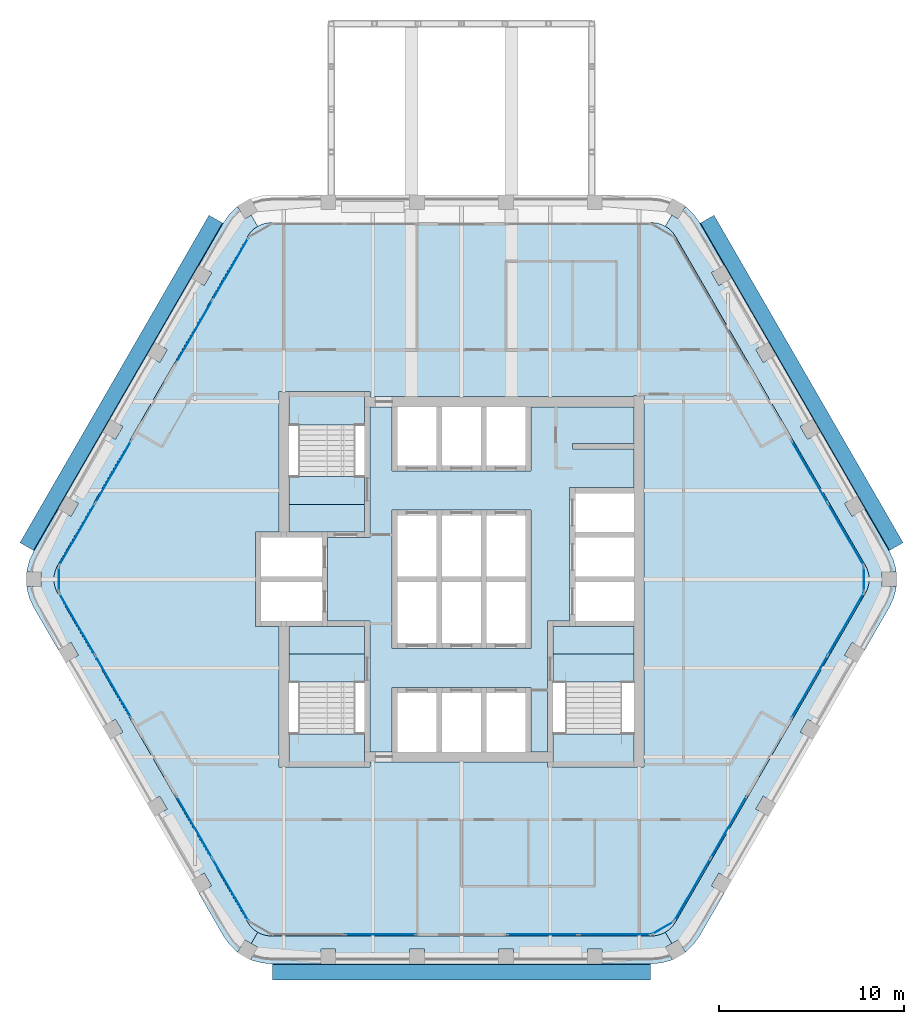
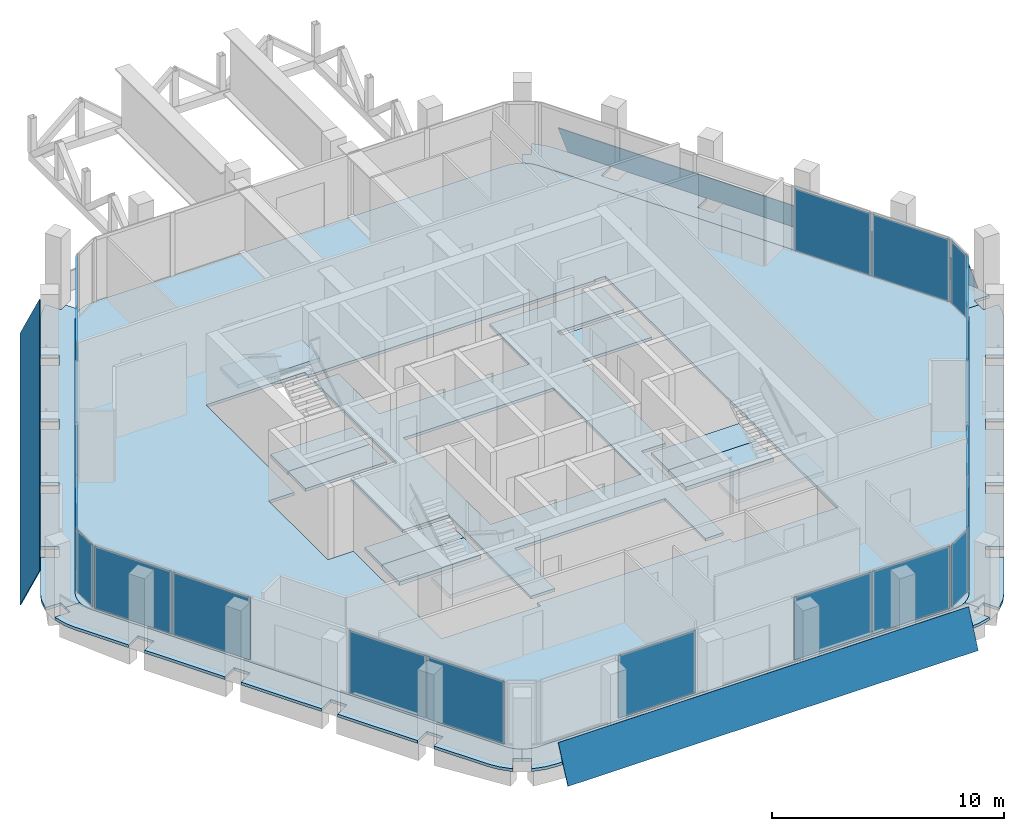
# One storey, part 7 of 14: 23 plates, 16 slabs, 15 elements without a shape of their own.
"""IFC4 building model written with IfcOpenShell, lengths in metres."""

from ifc_helpers import new_model, si_unit, direction, frame, origin, origin_2d, place, context, subcontext, project, spatial, polyline, rectangle, outline, extrude, material, layer, layer_set, type_object, element, aggregate, save


model = new_model("IFC4")

# Units and contexts
model_context = context("Model", 3, precision=1e-05, world=origin(), true_north=direction((0.0, 1.0)))
body_context = subcontext(model_context, "Body", "Model", "MODEL_VIEW")
ifc_project = project(units=[si_unit("LENGTHUNIT", "METRE"), si_unit("AREAUNIT", "SQUARE_METRE"), si_unit("VOLUMEUNIT", "CUBIC_METRE"), si_unit("PLANEANGLEUNIT", "RADIAN"), si_unit("MASSUNIT", "GRAM", prefix="KILO")], contexts=[model_context])

# Site, building, storey
site_placement = place(None, origin())
site = spatial("IfcSite", under=ifc_project, at=site_placement, CompositionType="ELEMENT")
building_placement = place(site_placement, origin())
building = spatial("IfcBuilding", under=site, at=building_placement, Name="Kolab Exchange Tower", CompositionType="ELEMENT")
storey_placement = place(building_placement, frame((0.0, 0.0, 265.699951171875)))
storey = spatial("IfcBuildingStorey", under=building, at=storey_placement, Name="L59", CompositionType="ELEMENT", Elevation=265.699951171875)

# Slabs
ifc_material_1 = material(Name="Concrete C35/45", Category="concrete")
ifc_layer_1 = layer(ifc_material_1, 0.14990234375)
ifc_layer_set_1 = layer_set([ifc_layer_1], Name="Concrete C35/45")
slab_type_1 = type_object("IfcSlabType", Name="FLOOR SLAB 150", PredefinedType="FLOOR", material=ifc_layer_set_1)
slab_1_placement = place(storey_placement, frame((0.0, 0.0, -0.14990234375)))
element("IfcSlab", 1, at=slab_1_placement, inside=storey, type_object=slab_type_1, Name="slab/L59/floor/0", PredefinedType="FLOOR", context=body_context, shape_type="SweptSolid", body=[
    extrude(outline(polyline([(11.56689453125, -18.53466796875), (21.8349609375, -0.75), (21.945556640625, -0.512939453125), (22.01318359375, -0.260498046875), (22.035888671875, 0.0), (22.01318359375, 0.260498046875), (21.945556640625, 0.512939453125), (21.8349609375, 0.75), (11.56689453125, 18.53466796875), (11.4169921875, 18.748779296875), (11.232177734375, 18.93359375), (11.01806640625, 19.083740234375), (10.781005859375, 19.194091796875), (10.5283203125, 19.26171875), (10.26806640625, 19.28466796875), (-10.26806640625, 19.28466796875), (-10.5283203125, 19.26171875), (-10.781005859375, 19.194091796875), (-11.01806640625, 19.083740234375), (-11.232177734375, 18.93359375), (-11.4169921875, 18.748779296875), (-11.56689453125, 18.53466796875), (-21.8349609375, 0.75), (-21.945556640625, 0.512939453125), (-22.01318359375, 0.260498046875), (-22.035888671875, 0.0), (-22.01318359375, -0.260498046875), (-21.945556640625, -0.512939453125), (-21.8349609375, -0.75), (-11.56689453125, -18.53466796875), (-11.4169921875, -18.748779296875), (-11.232177734375, -18.93359375), (-11.01806640625, -19.083740234375), (-10.781005859375, -19.194091796875), (-10.5283203125, -19.26171875), (-10.26806640625, -19.28466796875), (10.26806640625, -19.28466796875), (10.5283203125, -19.26171875), (10.781005859375, -19.194091796875), (11.01806640625, -19.083740234375), (11.232177734375, -18.93359375), (11.4169921875, -18.748779296875), (11.56689453125, -18.53466796875)]), holes=[polyline([(-9.324951171875, -10.14990234375), (-9.875, -10.14990234375), (-9.875, -2.550048828125), (-10.85009765625, -2.550048828125), (-11.14990234375, -2.550048828125), (-11.14990234375, 2.550048828125), (-10.85009765625, 2.550048828125), (-9.875, 2.550048828125), (-9.875, 10.14990234375), (-9.324951171875, 10.14990234375), (-5.25, 10.14990234375), (-4.949951171875, 10.14990234375), (-4.949951171875, 9.875), (9.324951171875, 9.875), (9.324951171875, 9.925048828125), (9.875, 9.925048828125), (9.875, -10.14990234375), (9.324951171875, -10.14990234375), (4.949951171875, -10.14990234375), (4.64990234375, -10.14990234375), (4.64990234375, -9.875), (-4.949951171875, -9.875), (-4.949951171875, -10.14990234375), (-5.25, -10.14990234375), (-9.324951171875, -10.14990234375)])]), origin(), (0.0, 0.0, 1.0), 0.14990234375),
])
slab_2_placement = place(storey_placement, frame((0.0, 0.0, -0.14990234375)))
element("IfcSlab", 2, at=slab_2_placement, inside=storey, type_object=slab_type_1, Name="slab/L59/floor/1", PredefinedType="FLOOR", context=body_context, shape_type="SweptSolid", body=[
    extrude(outline(polyline([(-4.949951171875, 9.324951171875), (-4.949951171875, 2.25), (-5.25, 2.25), (-7.25, 2.25), (-7.25, -2.25), (-5.25, -2.25), (-4.949951171875, -2.25), (-4.949951171875, -9.324951171875), (-3.75, -9.324951171875), (-3.75, -5.85009765625), (-3.449951171875, -5.85009765625), (-1.35009765625, -5.85009765625), (-1.050048828125, -5.85009765625), (1.050048828125, -5.85009765625), (1.35009765625, -5.85009765625), (3.449951171875, -5.85009765625), (3.75, -5.85009765625), (3.75, -9.324951171875), (4.64990234375, -9.324951171875), (4.64990234375, -2.25), (4.949951171875, -2.25), (5.85009765625, -2.25), (5.85009765625, 4.949951171875), (6.14990234375, 4.949951171875), (9.324951171875, 4.949951171875), (9.324951171875, 7.050048828125), (6.0, 7.050048828125), (6.0, 7.35009765625), (9.324951171875, 7.35009765625), (9.324951171875, 9.324951171875), (3.75, 9.324951171875), (3.75, 5.85009765625), (3.449951171875, 5.85009765625), (1.35009765625, 5.85009765625), (1.050048828125, 5.85009765625), (-1.050048828125, 5.85009765625), (-1.35009765625, 5.85009765625), (-3.449951171875, 5.85009765625), (-3.75, 5.85009765625), (-3.75, 9.324951171875), (-4.949951171875, 9.324951171875)]), holes=[polyline([(-3.449951171875, -3.75), (-3.75, -3.75), (-3.75, 3.75), (-3.449951171875, 3.75), (-1.35009765625, 3.75), (-1.050048828125, 3.75), (1.050048828125, 3.75), (1.35009765625, 3.75), (3.449951171875, 3.75), (3.75, 3.75), (3.75, -3.75), (3.449951171875, -3.75), (1.35009765625, -3.75), (1.050048828125, -3.75), (-1.050048828125, -3.75), (-1.35009765625, -3.75), (-3.449951171875, -3.75)])]), origin(), (0.0, 0.0, 1.0), 0.14990234375),
])
slab_3_placement = place(storey_placement, frame((0.0, 0.0, -0.14990234375)))
element("IfcSlab", 3, at=slab_3_placement, inside=storey, type_object=slab_type_1, Name="slab/L59/floor/2", PredefinedType="FLOOR", context=body_context, shape_type="SweptSolid", body=[
    extrude(outline(polyline([(4.949951171875, -2.550048828125), (4.949951171875, -4.050048828125), (9.324951171875, -4.050048828125), (9.324951171875, -2.550048828125), (6.14990234375, -2.550048828125), (5.85009765625, -2.550048828125), (4.949951171875, -2.550048828125)])), origin(), (0.0, 0.0, 1.0), 0.14990234375),
])
slab_4_placement = place(storey_placement, frame((0.0, 0.0, -0.14990234375)))
element("IfcSlab", 4, at=slab_4_placement, inside=storey, type_object=slab_type_1, Name="slab/L59/floor/3", PredefinedType="FLOOR", context=body_context, shape_type="SweptSolid", body=[
    extrude(outline(polyline([(-7.550048828125, -2.550048828125), (-9.324951171875, -2.550048828125), (-9.324951171875, -4.050048828125), (-5.25, -4.050048828125), (-5.25, -2.550048828125), (-7.25, -2.550048828125), (-7.550048828125, -2.550048828125)])), origin(), (0.0, 0.0, 1.0), 0.14990234375),
])
slab_5_placement = place(storey_placement, frame((0.0, 0.0, -0.14990234375)))
element("IfcSlab", 5, at=slab_5_placement, inside=storey, type_object=slab_type_1, Name="slab/L59/floor/4", PredefinedType="FLOOR", context=body_context, shape_type="SweptSolid", body=[
    extrude(outline(polyline([(-9.324951171875, 4.050048828125), (-9.324951171875, 2.550048828125), (-7.550048828125, 2.550048828125), (-7.25, 2.550048828125), (-5.25, 2.550048828125), (-5.25, 4.050048828125), (-9.324951171875, 4.050048828125)])), origin(), (0.0, 0.0, 1.0), 0.14990234375),
])
ifc_layer_2 = layer(ifc_material_1, 0.14990234375)
ifc_layer_set_2 = layer_set([ifc_layer_2], Name="Concrete C35/45")
slab_type_2 = type_object("IfcSlabType", Name="LOGGIA SLAB 150", PredefinedType="FLOOR", material=ifc_layer_set_2)
slab_6_placement = place(storey_placement, frame((0.0, 0.0, -0.14990234375)))
element("IfcSlab", 6, at=slab_6_placement, inside=storey, type_object=slab_type_2, Name="slab/L59/loggia/1-0", PredefinedType="FLOOR", context=body_context, shape_type="SweptSolid", body=[
    extrude(outline(polyline([(22.035888671875, 0.0), (22.73583984375, 0.0), (22.73583984375, 0.39990234375), (23.5009765625, 0.39990234375), (23.490234375, 0.52099609375), (23.35498046875, 1.026123046875), (23.134033203125, 1.5), (21.800048828125, 3.810546875), (21.107177734375, 3.410400390625), (20.707275390625, 4.103271484375), (21.39990234375, 4.50341796875), (19.39990234375, 7.967529296875), (18.707275390625, 7.5673828125), (18.30712890625, 8.26025390625), (19.0, 8.66015625), (17.0, 12.124267578125), (16.30712890625, 11.724365234375), (15.9072265625, 12.417236328125), (16.60009765625, 12.817138671875), (14.60009765625, 16.28125), (13.9072265625, 15.88134765625), (13.507080078125, 16.57421875), (14.199951171875, 16.97412109375), (12.865966796875, 19.28466796875), (12.566162109375, 19.712890625), (12.1962890625, 20.082763671875), (12.096923828125, 20.15234375), (11.71435546875, 19.48974609375), (11.367919921875, 19.68994140625), (11.01806640625, 19.083740234375), (11.232177734375, 18.93359375), (11.4169921875, 18.748779296875), (11.56689453125, 18.53466796875), (21.8349609375, 0.75), (21.945556640625, 0.512939453125), (22.01318359375, 0.260498046875), (22.035888671875, 0.0)])), origin(), (0.0, 0.0, 1.0), 0.14990234375),
])
slab_7_placement = place(storey_placement, frame((0.0, 0.0, -0.14990234375)))
element("IfcSlab", 7, at=slab_7_placement, inside=storey, type_object=slab_type_2, Name="slab/L59/loggia/2-0", PredefinedType="FLOOR", context=body_context, shape_type="SweptSolid", body=[
    extrude(outline(polyline([(12.865966796875, -19.28466796875), (14.199951171875, -16.97412109375), (13.507080078125, -16.57421875), (13.9072265625, -15.88134765625), (14.60009765625, -16.28125), (16.60009765625, -12.817138671875), (15.9072265625, -12.417236328125), (16.30712890625, -11.724365234375), (17.0, -12.124267578125), (19.0, -8.66015625), (18.30712890625, -8.26025390625), (18.707275390625, -7.5673828125), (19.39990234375, -7.967529296875), (21.39990234375, -4.50341796875), (20.707275390625, -4.103271484375), (21.107177734375, -3.410400390625), (21.800048828125, -3.810546875), (23.134033203125, -1.5), (23.35498046875, -1.026123046875), (23.490234375, -0.52099609375), (23.5009765625, -0.39990234375), (22.73583984375, -0.39990234375), (22.73583984375, 0.0), (22.035888671875, 0.0), (22.01318359375, -0.260498046875), (21.945556640625, -0.512939453125), (21.8349609375, -0.75), (11.56689453125, -18.53466796875), (11.4169921875, -18.748779296875), (11.232177734375, -18.93359375), (11.01806640625, -19.083740234375), (11.367919921875, -19.68994140625), (11.71435546875, -19.48974609375), (12.096923828125, -20.15234375), (12.1962890625, -20.082763671875), (12.566162109375, -19.712890625), (12.865966796875, -19.28466796875)])), origin(), (0.0, 0.0, 1.0), 0.14990234375),
])
slab_8_placement = place(storey_placement, frame((0.0, 0.0, -0.14990234375)))
element("IfcSlab", 8, at=slab_8_placement, inside=storey, type_object=slab_type_2, Name="slab/L59/loggia/3-0", PredefinedType="FLOOR", context=body_context, shape_type="SweptSolid", body=[
    extrude(outline(polyline([(-11.01806640625, -19.083740234375), (-11.367919921875, -19.68994140625), (-11.021484375, -19.889892578125), (-11.404052734375, -20.552490234375), (-11.2939453125, -20.603759765625), (-10.788818359375, -20.739013671875), (-10.26806640625, -20.78466796875), (-7.60009765625, -20.78466796875), (-7.60009765625, -19.984619140625), (-6.800048828125, -19.984619140625), (-6.800048828125, -20.78466796875), (-2.800048828125, -20.78466796875), (-2.800048828125, -19.984619140625), (-2.0, -19.984619140625), (-2.0, -20.78466796875), (2.0, -20.78466796875), (2.0, -19.984619140625), (2.800048828125, -19.984619140625), (2.800048828125, -20.78466796875), (6.800048828125, -20.78466796875), (6.800048828125, -19.984619140625), (7.60009765625, -19.984619140625), (7.60009765625, -20.78466796875), (10.26806640625, -20.78466796875), (10.788818359375, -20.739013671875), (11.2939453125, -20.603759765625), (11.404052734375, -20.552490234375), (11.021484375, -19.889892578125), (11.367919921875, -19.68994140625), (11.01806640625, -19.083740234375), (10.781005859375, -19.194091796875), (10.5283203125, -19.26171875), (10.26806640625, -19.28466796875), (-10.26806640625, -19.28466796875), (-10.5283203125, -19.26171875), (-10.781005859375, -19.194091796875), (-11.01806640625, -19.083740234375)])), origin(), (0.0, 0.0, 1.0), 0.14990234375),
])
slab_9_placement = place(storey_placement, frame((0.0, 0.0, -0.14990234375)))
element("IfcSlab", 9, at=slab_9_placement, inside=storey, type_object=slab_type_2, Name="slab/L59/loggia/4-0", PredefinedType="FLOOR", context=body_context, shape_type="SweptSolid", body=[
    extrude(outline(polyline([(-22.035888671875, 0.0), (-22.73583984375, 0.0), (-22.73583984375, -0.39990234375), (-23.5009765625, -0.39990234375), (-23.490234375, -0.52099609375), (-23.35498046875, -1.026123046875), (-23.134033203125, -1.5), (-21.800048828125, -3.810546875), (-21.107177734375, -3.410400390625), (-20.707275390625, -4.103271484375), (-21.39990234375, -4.50341796875), (-19.39990234375, -7.967529296875), (-18.707275390625, -7.5673828125), (-18.30712890625, -8.26025390625), (-19.0, -8.66015625), (-17.0, -12.124267578125), (-16.30712890625, -11.724365234375), (-15.9072265625, -12.417236328125), (-16.60009765625, -12.817138671875), (-14.60009765625, -16.28125), (-13.9072265625, -15.88134765625), (-13.507080078125, -16.57421875), (-14.199951171875, -16.97412109375), (-12.865966796875, -19.28466796875), (-12.566162109375, -19.712890625), (-12.1962890625, -20.082763671875), (-12.096923828125, -20.15234375), (-11.71435546875, -19.48974609375), (-11.367919921875, -19.68994140625), (-11.01806640625, -19.083740234375), (-11.232177734375, -18.93359375), (-11.4169921875, -18.748779296875), (-11.56689453125, -18.53466796875), (-21.8349609375, -0.75), (-21.945556640625, -0.512939453125), (-22.01318359375, -0.260498046875), (-22.035888671875, 0.0)])), origin(), (0.0, 0.0, 1.0), 0.14990234375),
])
slab_10_placement = place(storey_placement, frame((0.0, 0.0, -0.14990234375)))
element("IfcSlab", 10, at=slab_10_placement, inside=storey, type_object=slab_type_2, Name="slab/L59/loggia/5-0", PredefinedType="FLOOR", context=body_context, shape_type="SweptSolid", body=[
    extrude(outline(polyline([(-11.01806640625, 19.083740234375), (-11.367919921875, 19.68994140625), (-11.71435546875, 19.48974609375), (-12.096923828125, 20.15234375), (-12.1962890625, 20.082763671875), (-12.566162109375, 19.712890625), (-12.865966796875, 19.28466796875), (-14.199951171875, 16.97412109375), (-13.507080078125, 16.57421875), (-13.9072265625, 15.88134765625), (-14.60009765625, 16.28125), (-16.60009765625, 12.817138671875), (-15.9072265625, 12.417236328125), (-16.30712890625, 11.724365234375), (-17.0, 12.124267578125), (-19.0, 8.66015625), (-18.30712890625, 8.26025390625), (-18.707275390625, 7.5673828125), (-19.39990234375, 7.967529296875), (-21.39990234375, 4.50341796875), (-20.707275390625, 4.103271484375), (-21.107177734375, 3.410400390625), (-21.800048828125, 3.810546875), (-23.134033203125, 1.5), (-23.35498046875, 1.026123046875), (-23.490234375, 0.52099609375), (-23.5009765625, 0.39990234375), (-22.73583984375, 0.39990234375), (-22.73583984375, 0.0), (-22.035888671875, 0.0), (-22.01318359375, 0.260498046875), (-21.945556640625, 0.512939453125), (-21.8349609375, 0.75), (-11.56689453125, 18.53466796875), (-11.4169921875, 18.748779296875), (-11.232177734375, 18.93359375), (-11.01806640625, 19.083740234375)])), origin(), (0.0, 0.0, 1.0), 0.14990234375),
])

# Plates
ifc_material_2 = material(Name="Laminated glass, clear", Category="glass")
ifc_layer_3 = layer(ifc_material_2, 0.0400390625)
ifc_layer_set_3 = layer_set([ifc_layer_3], Name="Laminated glass, clear")
plate_type_1 = type_object("IfcPlateType", Name="OUTER SKIN LAMINATED GLASS SHEET 40", PredefinedType="SHEET", material=ifc_layer_set_3)
plate_1_placement = place(storey_placement, frame((13.6494140625, 19.67919921875, -0.68310546875), z_axis=(0.784886322863, 0.453152182031, 0.422618693508), x_axis=(0.499997422494, -0.866026891901, 1.981408e-06)))
element("IfcPlate", 11, at=plate_1_placement, inside=storey, type_object=plate_type_1, Name="Outer skin", PredefinedType="SHEET", context=body_context, shape_type="SweptSolid", body=[
    extrude(outline(polyline([(0.0, 0.0), (20.435802623779963, 0.0), (20.435856947346753, -1.9860898935068516), (-6.774611643567295e-05, -1.9861792489881693), (0.0, 0.0)])), origin(), (0.0, 0.0, -1.0), 0.0400390625),
])
plate_2_placement = place(storey_placement, frame((10.218017578125, -21.66015625, -0.68310546875), z_axis=(0.0, -0.906311853188, 0.422609541742), x_axis=(-1.0, 0.0, 0.0)))
element("IfcPlate", 12, at=plate_2_placement, inside=storey, type_object=plate_type_1, Name="Outer skin", PredefinedType="SHEET", context=body_context, shape_type="SweptSolid", body=[
    extrude(outline(polyline([(0.0, 0.0), (20.43603515625, 0.0), (20.43603515625, -1.9861252192534886), (0.0, -1.9861252192534886), (0.0, 0.0)])), origin(), (0.0, 0.0, -1.0), 0.0400390625),
])
plate_3_placement = place(storey_placement, frame((-23.8671875, 1.981201171875, -0.68310546875), z_axis=(-0.784886322863, 0.453152182031, 0.422618693508), x_axis=(0.499997422494, 0.866026891901, -1.981408e-06)))
element("IfcPlate", 13, at=plate_3_placement, inside=storey, type_object=plate_type_1, Name="Outer skin", PredefinedType="SHEET", context=body_context, shape_type="SweptSolid", body=[
    extrude(outline(polyline([(0.0, 0.0), (20.435802623779963, 0.0), (20.435870369896403, -1.9861792489881698), (-5.4323566790471804e-05, -1.9860898935068518), (0.0, 0.0)])), origin(), (0.0, 0.0, -1.0), 0.0400390625),
])

# Stair, slabs
ifc_material_3 = material(Name="Concrete C50/60", Category="concrete")
stair_type_1 = type_object("IfcStairType", Name="STAIR ST1 RISER 177.3", PredefinedType="HALF_TURN_STAIR", material=ifc_material_3)
stair_1_placement = place(storey_placement, origin())
stair_1 = element("IfcStair", 14, at=stair_1_placement, inside=storey, type_object=stair_type_1, Name="Stair 1", PredefinedType="HALF_TURN_STAIR")
ifc_layer_4 = layer(ifc_material_3, 0.199951171875)
ifc_layer_set_4 = layer_set([ifc_layer_4], Name="Concrete C50/60")
slab_type_3 = type_object("IfcSlabType", Name="STAIR LANDING 200", PredefinedType="LANDING", material=ifc_layer_set_4)
slab_11_placement = place(storey_placement, frame((0.0, 0.0, -0.199951171875)))
slab_11 = element("IfcSlab", 15, at=slab_11_placement, type_object=slab_type_3, Name="ST1 landing 1", PredefinedType="LANDING", context=body_context, shape_type="SweptSolid", body=[
    extrude(outline(polyline([(-9.324951171875, 4.050048828125), (-5.25, 4.050048828125), (-5.25, 5.550048828125), (-9.324951171875, 5.550048828125), (-9.324951171875, 4.050048828125)])), origin(), (0.0, 0.0, 1.0), 0.199951171875),
])
slab_12_placement = place(storey_placement, frame((0.0, 0.0, 1.75)))
slab_12 = element("IfcSlab", 16, at=slab_12_placement, type_object=slab_type_3, Name="ST1 landing 2", PredefinedType="LANDING", context=body_context, shape_type="SweptSolid", body=[
    extrude(outline(polyline([(-9.324951171875, 8.35009765625), (-5.25, 8.35009765625), (-5.25, 9.909912109375), (-9.324951171875, 9.909912109375), (-9.324951171875, 8.35009765625)])), origin(), (0.0, 0.0, 1.0), 0.199951171875),
])
aggregate(stair_1, [slab_11, slab_12])

stair_type_2 = type_object("IfcStairType", Name="STAIR ST3 RISER 177.3", PredefinedType="HALF_TURN_STAIR", material=ifc_material_3)
stair_2_placement = place(storey_placement, origin())
stair_2 = element("IfcStair", 17, at=stair_2_placement, inside=storey, type_object=stair_type_2, Name="Stair 3", PredefinedType="HALF_TURN_STAIR")
slab_13_placement = place(storey_placement, frame((0.0, 0.0, -0.199951171875)))
slab_13 = element("IfcSlab", 18, at=slab_13_placement, type_object=slab_type_3, Name="ST3 landing 1", PredefinedType="LANDING", context=body_context, shape_type="SweptSolid", body=[
    extrude(outline(polyline([(-9.324951171875, -5.550048828125), (-5.25, -5.550048828125), (-5.25, -4.050048828125), (-9.324951171875, -4.050048828125), (-9.324951171875, -5.550048828125)])), origin(), (0.0, 0.0, 1.0), 0.199951171875),
])
slab_14_placement = place(storey_placement, frame((0.0, 0.0, 1.75)))
slab_14 = element("IfcSlab", 19, at=slab_14_placement, type_object=slab_type_3, Name="ST3 landing 2", PredefinedType="LANDING", context=body_context, shape_type="SweptSolid", body=[
    extrude(outline(polyline([(-9.324951171875, -9.909912109375), (-5.25, -9.909912109375), (-5.25, -8.35009765625), (-9.324951171875, -8.35009765625), (-9.324951171875, -9.909912109375)])), origin(), (0.0, 0.0, 1.0), 0.199951171875),
])
aggregate(stair_2, [slab_13, slab_14])

stair_type_3 = type_object("IfcStairType", Name="STAIR ST2 RISER 177.3", PredefinedType="HALF_TURN_STAIR", material=ifc_material_3)
stair_3_placement = place(storey_placement, origin())
stair_3 = element("IfcStair", 20, at=stair_3_placement, inside=storey, type_object=stair_type_3, Name="Stair 2", PredefinedType="HALF_TURN_STAIR")
slab_15_placement = place(storey_placement, frame((0.0, 0.0, -0.199951171875)))
slab_15 = element("IfcSlab", 21, at=slab_15_placement, type_object=slab_type_3, Name="ST2 landing 1", PredefinedType="LANDING", context=body_context, shape_type="SweptSolid", body=[
    extrude(outline(polyline([(4.949951171875, -5.550048828125), (9.324951171875, -5.550048828125), (9.324951171875, -4.050048828125), (4.949951171875, -4.050048828125), (4.949951171875, -5.550048828125)])), origin(), (0.0, 0.0, 1.0), 0.199951171875),
])
slab_16_placement = place(storey_placement, frame((0.0, 0.0, 1.75)))
slab_16 = element("IfcSlab", 22, at=slab_16_placement, type_object=slab_type_3, Name="ST2 landing 2", PredefinedType="LANDING", context=body_context, shape_type="SweptSolid", body=[
    extrude(outline(polyline([(4.949951171875, -9.909912109375), (9.324951171875, -9.909912109375), (9.324951171875, -8.35009765625), (4.949951171875, -8.35009765625), (4.949951171875, -9.909912109375)])), origin(), (0.0, 0.0, 1.0), 0.199951171875),
])
aggregate(stair_3, [slab_15, slab_16])

# Curtain wall, plates
ifc_material_4 = material(Name="Aluminium EN AW-6063 T6", Category="aluminium")
curtain_wall_type = type_object("IfcCurtainWallType", Name="UNITISED HIGH ZONE CURTAIN WALL", PredefinedType="NOTDEFINED", material=ifc_material_4)
curtain_wall_1_placement = place(storey_placement, origin())
curtain_wall_1 = element("IfcCurtainWall", 23, at=curtain_wall_1_placement, inside=storey, type_object=curtain_wall_type, Name="cw/L59/F2-2", PredefinedType="NOTDEFINED")
ifc_material_5 = material(Name="Clear insulated glazing unit", Category="glass")
ifc_layer_5 = layer(ifc_material_5, 0.030029296875)
ifc_layer_set_5 = layer_set([ifc_layer_5], Name="Clear insulated glazing unit")
plate_type_2 = type_object("IfcPlateType", Name="UNITISED HIGH ZONE GLASS PANEL 30", PredefinedType="CURTAIN_PANEL", material=ifc_layer_set_5)
plate_4_placement = place(storey_placement, frame((18.82275390625, 5.807373046875, 0.06005859375), z_axis=(0.0, 0.0, 1.0), x_axis=(0.499999936366, -0.866025440524, 0.0)))
plate_4 = element("IfcPlate", 24, at=plate_4_placement, type_object=plate_type_2, Name="CW4 panel 1.1", PredefinedType="CURTAIN_PANEL", context=body_context, shape_type="SweptSolid", body=[
    extrude(rectangle(XDim=3.843994140625, YDim=0.030029296875, at=origin_2d()), origin(), (0.0, 0.0, 1.0), 3.280029296875),
])
plate_5_placement = place(storey_placement, frame((20.774658203125, 2.426513671875, 0.06005859375), z_axis=(0.0, 0.0, 1.0), x_axis=(0.499999936366, -0.866025440524, 0.0)))
plate_5 = element("IfcPlate", 25, at=plate_5_placement, type_object=plate_type_2, Name="CW4 panel 2.1", PredefinedType="CURTAIN_PANEL", context=body_context, shape_type="SweptSolid", body=[
    extrude(rectangle(XDim=3.843994140625, YDim=0.030029296875, at=origin_2d()), origin(), (0.0, 0.0, 1.0), 3.280029296875),
])
aggregate(curtain_wall_1, [plate_4, plate_5])

curtain_wall_2_placement = place(storey_placement, origin())
curtain_wall_2 = element("IfcCurtainWall", 26, at=curtain_wall_2_placement, inside=storey, type_object=curtain_wall_type, Name="cw/L59/F3-1", PredefinedType="NOTDEFINED")
plate_6_placement = place(storey_placement, frame((20.774658203125, -2.426513671875, 0.06005859375), z_axis=(0.0, 0.0, 1.0), x_axis=(-0.499999936366, -0.866025440524, 0.0)))
plate_6 = element("IfcPlate", 27, at=plate_6_placement, type_object=plate_type_2, Name="CW4 panel 1.1", PredefinedType="CURTAIN_PANEL", context=body_context, shape_type="SweptSolid", body=[
    extrude(rectangle(XDim=3.843994140625, YDim=0.030029296875, at=origin_2d()), origin(), (0.0, 0.0, 1.0), 3.280029296875),
])
plate_7_placement = place(storey_placement, frame((18.82275390625, -5.807373046875, 0.06005859375), z_axis=(0.0, 0.0, 1.0), x_axis=(-0.499999936366, -0.866025440524, 0.0)))
plate_7 = element("IfcPlate", 28, at=plate_7_placement, type_object=plate_type_2, Name="CW4 panel 2.1", PredefinedType="CURTAIN_PANEL", context=body_context, shape_type="SweptSolid", body=[
    extrude(rectangle(XDim=3.843994140625, YDim=0.030029296875, at=origin_2d()), origin(), (0.0, 0.0, 1.0), 3.280029296875),
])
aggregate(curtain_wall_2, [plate_6, plate_7])

curtain_wall_3_placement = place(storey_placement, origin())
curtain_wall_3 = element("IfcCurtainWall", 29, at=curtain_wall_3_placement, inside=storey, type_object=curtain_wall_type, Name="cw/L59/F3-2", PredefinedType="NOTDEFINED")
plate_8_placement = place(storey_placement, frame((14.440673828125, -13.397216796875, 0.06005859375), z_axis=(0.0, 0.0, 1.0), x_axis=(-0.500000031681, -0.866025385493, 0.0)))
plate_8 = element("IfcPlate", 30, at=plate_8_placement, type_object=plate_type_2, Name="CW4 panel 1.1", PredefinedType="CURTAIN_PANEL", context=body_context, shape_type="SweptSolid", body=[
    extrude(rectangle(XDim=3.843994140625, YDim=0.030029296875, at=origin_2d()), origin(), (0.0, 0.0, 1.0), 3.280029296875),
])
plate_9_placement = place(storey_placement, frame((12.48876953125, -16.778076171875, 0.06005859375), z_axis=(0.0, 0.0, 1.0), x_axis=(-0.500000031681, -0.866025385493, 0.0)))
plate_9 = element("IfcPlate", 31, at=plate_9_placement, type_object=plate_type_2, Name="CW4 panel 2.1", PredefinedType="CURTAIN_PANEL", context=body_context, shape_type="SweptSolid", body=[
    extrude(rectangle(XDim=3.843994140625, YDim=0.030029296875, at=origin_2d()), origin(), (0.0, 0.0, 1.0), 3.280029296875),
])
aggregate(curtain_wall_3, [plate_8, plate_9])

curtain_wall_4_placement = place(storey_placement, origin())
curtain_wall_4 = element("IfcCurtainWall", 32, at=curtain_wall_4_placement, inside=storey, type_object=curtain_wall_type, Name="cw/L59/F4-1", PredefinedType="NOTDEFINED")
plate_10_placement = place(storey_placement, frame((8.285888671875, -19.20458984375, 0.06005859375), z_axis=(0.0, 0.0, 1.0), x_axis=(-1.0, 0.0, 0.0)))
plate_10 = element("IfcPlate", 33, at=plate_10_placement, type_object=plate_type_2, Name="CW4 panel 1.1", PredefinedType="CURTAIN_PANEL", context=body_context, shape_type="SweptSolid", body=[
    extrude(rectangle(XDim=3.843994140625, YDim=0.030029296875, at=origin_2d()), origin(), (0.0, 0.0, 1.0), 3.280029296875),
])
plate_11_placement = place(storey_placement, frame((4.382080078125, -19.20458984375, 0.06005859375), z_axis=(0.0, 0.0, 1.0), x_axis=(-1.0, 0.0, 0.0)))
plate_11 = element("IfcPlate", 34, at=plate_11_placement, type_object=plate_type_2, Name="CW4 panel 2.1", PredefinedType="CURTAIN_PANEL", context=body_context, shape_type="SweptSolid", body=[
    extrude(rectangle(XDim=3.843994140625, YDim=0.030029296875, at=origin_2d()), origin(), (0.0, 0.0, 1.0), 3.280029296875),
])
aggregate(curtain_wall_4, [plate_10, plate_11])

# Curtain wall, plate
curtain_wall_5_placement = place(storey_placement, origin())
curtain_wall_5 = element("IfcCurtainWall", 35, at=curtain_wall_5_placement, inside=storey, type_object=curtain_wall_type, Name="cw/L59/F4-2", PredefinedType="NOTDEFINED")
plate_12_placement = place(storey_placement, frame((-4.382080078125, -19.20458984375, 0.06005859375), z_axis=(0.0, 0.0, 1.0), x_axis=(-1.0, 0.0, 0.0)))
plate_12 = element("IfcPlate", 36, at=plate_12_placement, type_object=plate_type_2, Name="CW4 panel 1.1", PredefinedType="CURTAIN_PANEL", context=body_context, shape_type="SweptSolid", body=[
    extrude(rectangle(XDim=3.843994140625, YDim=0.030029296875, at=origin_2d()), origin(), (0.0, 0.0, 1.0), 3.280029296875),
])
aggregate(curtain_wall_5, [plate_12])

# Curtain wall, plates
curtain_wall_6_placement = place(storey_placement, origin())
curtain_wall_6 = element("IfcCurtainWall", 37, at=curtain_wall_6_placement, inside=storey, type_object=curtain_wall_type, Name="cw/L59/F5-1", PredefinedType="NOTDEFINED")
plate_13_placement = place(storey_placement, frame((-12.48876953125, -16.778076171875, 0.06005859375), z_axis=(0.0, 0.0, 1.0), x_axis=(-0.500000031681, 0.866025385493, 0.0)))
plate_13 = element("IfcPlate", 38, at=plate_13_placement, type_object=plate_type_2, Name="CW4 panel 1.1", PredefinedType="CURTAIN_PANEL", context=body_context, shape_type="SweptSolid", body=[
    extrude(rectangle(XDim=3.843994140625, YDim=0.030029296875, at=origin_2d()), origin(), (0.0, 0.0, 1.0), 3.280029296875),
])
plate_14_placement = place(storey_placement, frame((-14.440673828125, -13.397216796875, 0.06005859375), z_axis=(0.0, 0.0, 1.0), x_axis=(-0.500000031681, 0.866025385493, 0.0)))
plate_14 = element("IfcPlate", 39, at=plate_14_placement, type_object=plate_type_2, Name="CW4 panel 2.1", PredefinedType="CURTAIN_PANEL", context=body_context, shape_type="SweptSolid", body=[
    extrude(rectangle(XDim=3.843994140625, YDim=0.030029296875, at=origin_2d()), origin(), (0.0, 0.0, 1.0), 3.280029296875),
])
aggregate(curtain_wall_6, [plate_13, plate_14])

curtain_wall_7_placement = place(storey_placement, origin())
curtain_wall_7 = element("IfcCurtainWall", 40, at=curtain_wall_7_placement, inside=storey, type_object=curtain_wall_type, Name="cw/L59/F5-2", PredefinedType="NOTDEFINED")
plate_15_placement = place(storey_placement, frame((-18.82275390625, -5.807373046875, 0.06005859375), z_axis=(0.0, 0.0, 1.0), x_axis=(-0.499999936366, 0.866025440524, 0.0)))
plate_15 = element("IfcPlate", 41, at=plate_15_placement, type_object=plate_type_2, Name="CW4 panel 1.1", PredefinedType="CURTAIN_PANEL", context=body_context, shape_type="SweptSolid", body=[
    extrude(rectangle(XDim=3.843994140625, YDim=0.030029296875, at=origin_2d()), origin(), (0.0, 0.0, 1.0), 3.280029296875),
])
plate_16_placement = place(storey_placement, frame((-20.774658203125, -2.426513671875, 0.06005859375), z_axis=(0.0, 0.0, 1.0), x_axis=(-0.499999936366, 0.866025440524, 0.0)))
plate_16 = element("IfcPlate", 42, at=plate_16_placement, type_object=plate_type_2, Name="CW4 panel 2.1", PredefinedType="CURTAIN_PANEL", context=body_context, shape_type="SweptSolid", body=[
    extrude(rectangle(XDim=3.843994140625, YDim=0.030029296875, at=origin_2d()), origin(), (0.0, 0.0, 1.0), 3.280029296875),
])
aggregate(curtain_wall_7, [plate_15, plate_16])

curtain_wall_8_placement = place(storey_placement, origin())
curtain_wall_8 = element("IfcCurtainWall", 43, at=curtain_wall_8_placement, inside=storey, type_object=curtain_wall_type, Name="cw/L59/F6-1", PredefinedType="NOTDEFINED")
plate_17_placement = place(storey_placement, frame((-20.774658203125, 2.426513671875, 0.06005859375), z_axis=(0.0, 0.0, 1.0), x_axis=(0.499999936366, 0.866025440524, 0.0)))
plate_17 = element("IfcPlate", 44, at=plate_17_placement, type_object=plate_type_2, Name="CW4 panel 1.1", PredefinedType="CURTAIN_PANEL", context=body_context, shape_type="SweptSolid", body=[
    extrude(rectangle(XDim=3.843994140625, YDim=0.030029296875, at=origin_2d()), origin(), (0.0, 0.0, 1.0), 3.280029296875),
])
plate_18_placement = place(storey_placement, frame((-18.82275390625, 5.807373046875, 0.06005859375), z_axis=(0.0, 0.0, 1.0), x_axis=(0.499999936366, 0.866025440524, 0.0)))
plate_18 = element("IfcPlate", 45, at=plate_18_placement, type_object=plate_type_2, Name="CW4 panel 2.1", PredefinedType="CURTAIN_PANEL", context=body_context, shape_type="SweptSolid", body=[
    extrude(rectangle(XDim=3.843994140625, YDim=0.030029296875, at=origin_2d()), origin(), (0.0, 0.0, 1.0), 3.280029296875),
])
aggregate(curtain_wall_8, [plate_17, plate_18])

curtain_wall_9_placement = place(storey_placement, origin())
curtain_wall_9 = element("IfcCurtainWall", 46, at=curtain_wall_9_placement, inside=storey, type_object=curtain_wall_type, Name="cw/L59/F6-2", PredefinedType="NOTDEFINED")
plate_19_placement = place(storey_placement, frame((-14.440673828125, 13.397216796875, 0.06005859375), z_axis=(0.0, 0.0, 1.0), x_axis=(0.500000031681, 0.866025385493, 0.0)))
plate_19 = element("IfcPlate", 47, at=plate_19_placement, type_object=plate_type_2, Name="CW4 panel 1.1", PredefinedType="CURTAIN_PANEL", context=body_context, shape_type="SweptSolid", body=[
    extrude(rectangle(XDim=3.843994140625, YDim=0.030029296875, at=origin_2d()), origin(), (0.0, 0.0, 1.0), 3.280029296875),
])
plate_20_placement = place(storey_placement, frame((-12.48876953125, 16.778076171875, 0.06005859375), z_axis=(0.0, 0.0, 1.0), x_axis=(0.500000031681, 0.866025385493, 0.0)))
plate_20 = element("IfcPlate", 48, at=plate_20_placement, type_object=plate_type_2, Name="CW4 panel 2.1", PredefinedType="CURTAIN_PANEL", context=body_context, shape_type="SweptSolid", body=[
    extrude(rectangle(XDim=3.843994140625, YDim=0.030029296875, at=origin_2d()), origin(), (0.0, 0.0, 1.0), 3.280029296875),
])
aggregate(curtain_wall_9, [plate_19, plate_20])

# Curtain wall, plate
curtain_wall_10_placement = place(storey_placement, origin())
curtain_wall_10 = element("IfcCurtainWall", 49, at=curtain_wall_10_placement, inside=storey, type_object=curtain_wall_type, Name="cw/L59/F2F3-corner", PredefinedType="NOTDEFINED")
plate_21_placement = place(storey_placement, frame((21.765625, 0.0, 0.06005859375), z_axis=(0.0, 0.0, 1.0), x_axis=(0.0, -1.0, 0.0)))
plate_21 = element("IfcPlate", 50, at=plate_21_placement, type_object=plate_type_2, Name="CW4 panel 1.1", PredefinedType="CURTAIN_PANEL", context=body_context, shape_type="SweptSolid", body=[
    extrude(rectangle(XDim=1.300048828125, YDim=0.030029296875, at=origin_2d()), origin(), (0.0, 0.0, 1.0), 3.280029296875),
])
aggregate(curtain_wall_10, [plate_21])

curtain_wall_11_placement = place(storey_placement, origin())
curtain_wall_11 = element("IfcCurtainWall", 51, at=curtain_wall_11_placement, inside=storey, type_object=curtain_wall_type, Name="cw/L59/F3F4-corner", PredefinedType="NOTDEFINED")
plate_22_placement = place(storey_placement, frame((10.8828125, -18.849609375, 0.06005859375), z_axis=(0.0, 0.0, 1.0), x_axis=(-0.866025390869, -0.50000002237, 0.0)))
plate_22 = element("IfcPlate", 52, at=plate_22_placement, type_object=plate_type_2, Name="CW4 panel 1.1", PredefinedType="CURTAIN_PANEL", context=body_context, shape_type="SweptSolid", body=[
    extrude(rectangle(XDim=1.300048828125, YDim=0.030029296875, at=origin_2d()), origin(), (0.0, 0.0, 1.0), 3.280029296875),
])
aggregate(curtain_wall_11, [plate_22])

curtain_wall_12_placement = place(storey_placement, origin())
curtain_wall_12 = element("IfcCurtainWall", 53, at=curtain_wall_12_placement, inside=storey, type_object=curtain_wall_type, Name="cw/L59/F5F6-corner", PredefinedType="NOTDEFINED")
plate_23_placement = place(storey_placement, frame((-21.765625, 0.0, 0.06005859375), z_axis=(0.0, 0.0, 1.0), x_axis=(0.0, 1.0, 0.0)))
plate_23 = element("IfcPlate", 54, at=plate_23_placement, type_object=plate_type_2, Name="CW4 panel 1.1", PredefinedType="CURTAIN_PANEL", context=body_context, shape_type="SweptSolid", body=[
    extrude(rectangle(XDim=1.300048828125, YDim=0.030029296875, at=origin_2d()), origin(), (0.0, 0.0, 1.0), 3.280029296875),
])
aggregate(curtain_wall_12, [plate_23])

save(model, "model.ifc")
